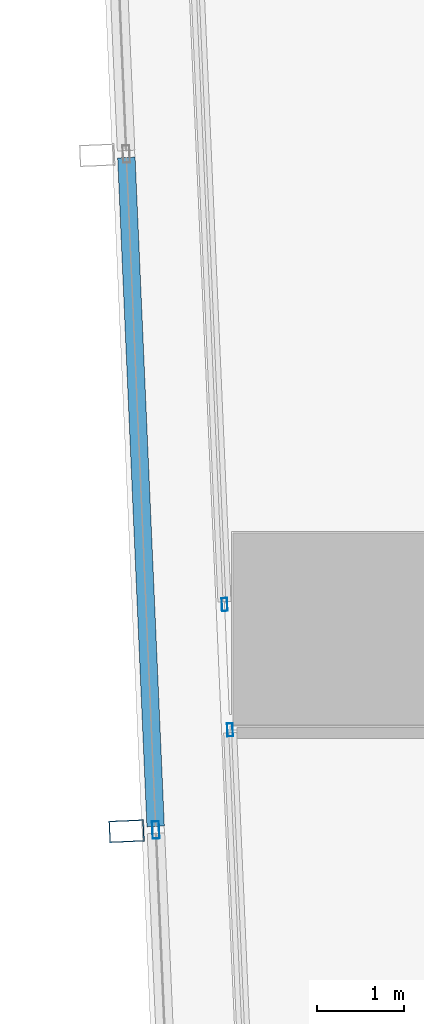
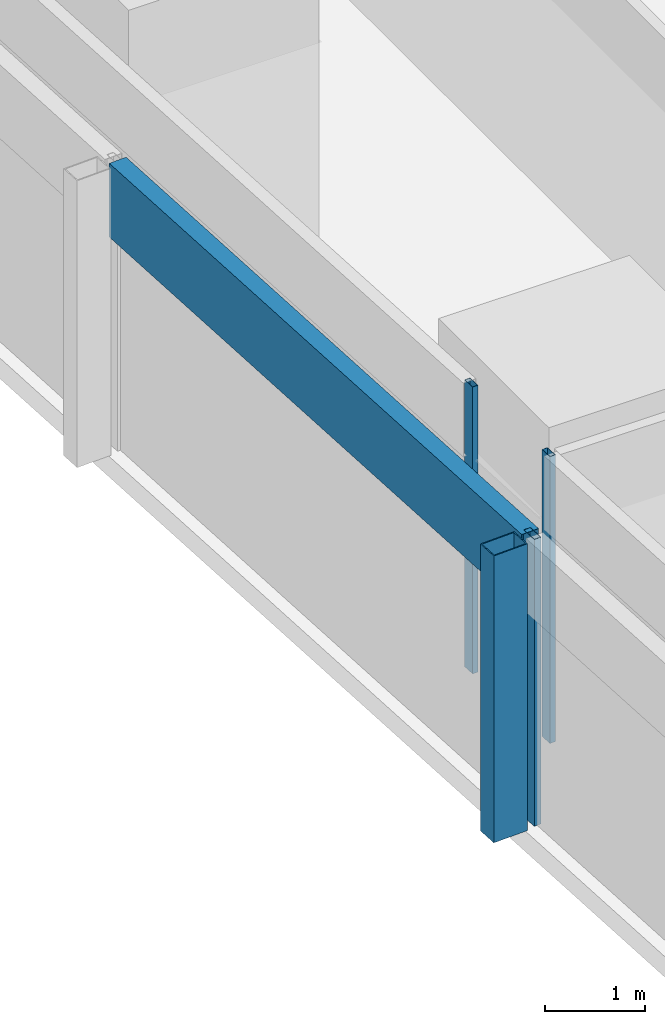
# One storey, part 4 of 45: 5 members, 3 elements without a shape of their own.
"""IFC4 building model written with IfcOpenShell, lengths in metres."""

from ifc_helpers import new_model, si_unit, direction, frame, origin, origin_2d, place, context, subcontext, project, spatial, hollow_rectangle, extrude, material, material_profile, profile_set, type_object, element, aggregate, save


model = new_model("IFC4")

# Units and contexts
model_context = context("Model", 3, precision=1e-05, world=origin(), true_north=direction((0.0, 1.0)))
body_context = subcontext(model_context, "Body", "Model", "MODEL_VIEW")
ifc_project = project(units=[si_unit("LENGTHUNIT", "METRE"), si_unit("AREAUNIT", "SQUARE_METRE"), si_unit("VOLUMEUNIT", "CUBIC_METRE"), si_unit("PLANEANGLEUNIT", "RADIAN"), si_unit("MASSUNIT", "GRAM", prefix="KILO")], contexts=[model_context])

# Site, building, storey
site_placement = place(None, origin())
site = spatial("IfcSite", under=ifc_project, at=site_placement, CompositionType="ELEMENT")
building_placement = place(site_placement, origin())
building = spatial("IfcBuilding", under=site, at=building_placement, Name="Rekha Terrace Tower", CompositionType="ELEMENT")
storey_placement = place(building_placement, frame((0.0, 0.0, 36.64990234375)))
storey = spatial("IfcBuildingStorey", under=building, at=storey_placement, Name="L08", CompositionType="ELEMENT", Elevation=36.64990234375)

# Curtain wall, member
ifc_material_1 = material(Name="Aluminium framing", Category="aluminium")
curtain_wall_type_1 = type_object("IfcCurtainWallType", Name="CW2 double skin outer glazing", PredefinedType="USERDEFINED", material=ifc_material_1)
curtain_wall_1_placement = place(storey_placement, origin())
curtain_wall_1 = element("IfcCurtainWall", 1, at=curtain_wall_1_placement, inside=storey, type_object=curtain_wall_type_1, Name="CW2 double skin outer glazing", ObjectType="DOUBLE SKIN OUTER GLAZING", PredefinedType="USERDEFINED")
ifc_material_2 = material(Name="Steel S355 with fluorocarbon finish", Category="steel")
ifc_material_profile_1 = material_profile(ifc_material_2, hollow_rectangle(XDim=0.25, YDim=0.39990234375, WallThickness=0.012451171875, at=origin_2d()), Name="RHS400x250x12.5")
ifc_profile_set_1 = profile_set([ifc_material_profile_1], Name="Steel S355 with fluorocarbon finish")
member_type_1 = type_object("IfcMemberType", Name="BL1 facade blade RHS 400 x 250", PredefinedType="USERDEFINED", material=ifc_profile_set_1)
member_1_placement = place(storey_placement, frame((6.080078125, 14.482421875, 0.0), z_axis=(0.0, 0.0, 1.0), x_axis=(0.04368215933, -0.999045478923, 0.0)))
member_1 = element("IfcMember", 2, at=member_1_placement, type_object=member_type_1, Name="Facade blade", ObjectType="FACADE BLADE", PredefinedType="USERDEFINED", context=body_context, shape_type="SweptSolid", body=[
    extrude(hollow_rectangle(XDim=0.25, YDim=0.39990234375, WallThickness=0.012451171875, at=origin_2d()), origin(), (0.0, 0.0, 1.0), 3.5),
])

curtain_wall_type_2 = type_object("IfcCurtainWallType", Name="CW1 double skin inner glazing", PredefinedType="USERDEFINED", material=ifc_material_1)
curtain_wall_2_placement = place(storey_placement, origin())
curtain_wall_2 = element("IfcCurtainWall", 3, at=curtain_wall_2_placement, inside=storey, type_object=curtain_wall_type_2, Name="CW1 double skin inner glazing", ObjectType="DOUBLE SKIN INNER GLAZING", PredefinedType="USERDEFINED")
ifc_material_3 = material(Name="Aluminium mullion section", Category="aluminium")
ifc_material_profile_2 = material_profile(ifc_material_3, hollow_rectangle(XDim=0.06494140625, YDim=0.14990234375, WallThickness=0.00390625, at=origin_2d()), Name="AL RHS 65x150")
ifc_profile_set_2 = profile_set([ifc_material_profile_2], Name="Aluminium mullion section")
member_type_2 = type_object("IfcMemberType", Name="CW1 mullion RHS 65 x 150", PredefinedType="MULLION", material=ifc_profile_set_2)
member_2_placement = place(storey_placement, frame((7.202880859375, 17.07958984375, 0.0), z_axis=(0.0, 0.0, 1.0), x_axis=(0.999045462133, 0.043682543337, 0.0)))
member_2 = element("IfcMember", 4, at=member_2_placement, type_object=member_type_2, Name="CW1 mullion 4", PredefinedType="MULLION", context=body_context, shape_type="SweptSolid", body=[
    extrude(hollow_rectangle(XDim=0.06494140625, YDim=0.14990234375, WallThickness=0.00390625, at=origin_2d()), origin(), (0.0, 0.0, 1.0), 3.5),
])
aggregate(curtain_wall_2, [member_2])

curtain_wall_3_placement = place(storey_placement, origin())
curtain_wall_3 = element("IfcCurtainWall", 5, at=curtain_wall_3_placement, inside=storey, type_object=curtain_wall_type_2, Name="CW1 double skin inner glazing", ObjectType="DOUBLE SKIN INNER GLAZING", PredefinedType="USERDEFINED")
member_3_placement = place(storey_placement, frame((7.265625, 15.643310546875, 0.0), z_axis=(0.0, 0.0, 1.0), x_axis=(0.999045462129, 0.043682543424, 0.0)))
member_3 = element("IfcMember", 6, at=member_3_placement, type_object=member_type_2, Name="CW1 mullion 1", PredefinedType="MULLION", context=body_context, shape_type="SweptSolid", body=[
    extrude(hollow_rectangle(XDim=0.06494140625, YDim=0.14990234375, WallThickness=0.00390625, at=origin_2d()), origin(), (0.0, 0.0, 1.0), 3.5),
])
aggregate(curtain_wall_3, [member_3])

# Member
ifc_material_profile_3 = material_profile(ifc_material_3, hollow_rectangle(XDim=0.080078125, YDim=0.199951171875, WallThickness=0.00390625, at=origin_2d()), Name="AL RHS 80x200")
ifc_profile_set_3 = profile_set([ifc_material_profile_3], Name="Aluminium mullion section")
member_type_3 = type_object("IfcMemberType", Name="CW2 mullion RHS 80 x 200", PredefinedType="MULLION", material=ifc_profile_set_3)
member_4_placement = place(storey_placement, frame((6.414794921875, 14.4970703125, 0.0), z_axis=(0.0, 0.0, 1.0), x_axis=(0.999045462131, 0.043682543372, 0.0)))
member_4 = element("IfcMember", 7, at=member_4_placement, type_object=member_type_3, Name="CW2 mullion 5", PredefinedType="MULLION", context=body_context, shape_type="SweptSolid", body=[
    extrude(hollow_rectangle(XDim=0.080078125, YDim=0.199951171875, WallThickness=0.00390625, at=origin_2d()), origin(), (0.0, 0.0, 1.0), 3.5),
])

ifc_material_4 = material(Name="Insulated aluminium spandrel box", Category="aluminium")
ifc_material_profile_4 = material_profile(ifc_material_4, hollow_rectangle(XDim=0.199951171875, YDim=0.89990234375, WallThickness=0.0029296875, at=origin_2d()), Name="AL SPANDREL BOX 200x900")
ifc_profile_set_4 = profile_set([ifc_material_profile_4], Name="Insulated aluminium spandrel box")
member_type_4 = type_object("IfcMemberType", Name="CW2 spandrel transom 200 x 900", PredefinedType="USERDEFINED", material=ifc_profile_set_4)
member_5_placement = place(storey_placement, frame((6.077880859375, 22.201416015625, 3.050048828125), z_axis=(0.043694095051, -0.999044956975, 0.0), x_axis=(0.999044956975, 0.043694095051, 0.0)))
member_5 = element("IfcMember", 8, at=member_5_placement, type_object=member_type_4, Name="CW2 spandrel transom 4", ObjectType="TRANSOM", PredefinedType="USERDEFINED", context=body_context, shape_type="SweptSolid", body=[
    extrude(hollow_rectangle(XDim=0.199951171875, YDim=0.89990234375, WallThickness=0.0029296875, at=origin_2d()), origin(), (0.0, 0.0, 1.0), 7.671630859375),
])

aggregate(curtain_wall_1, [member_4, member_5, member_1])

save(model, "model.ifc")
